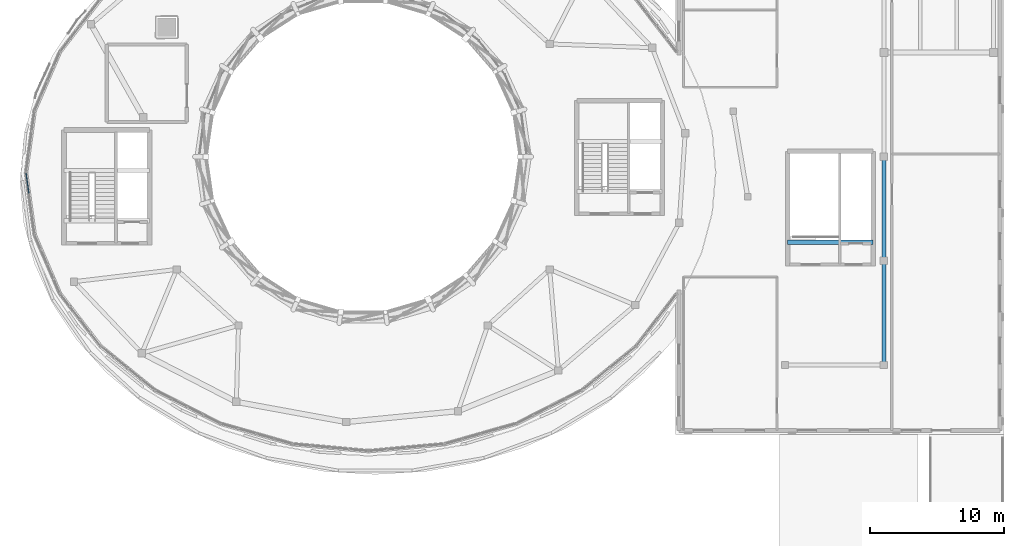
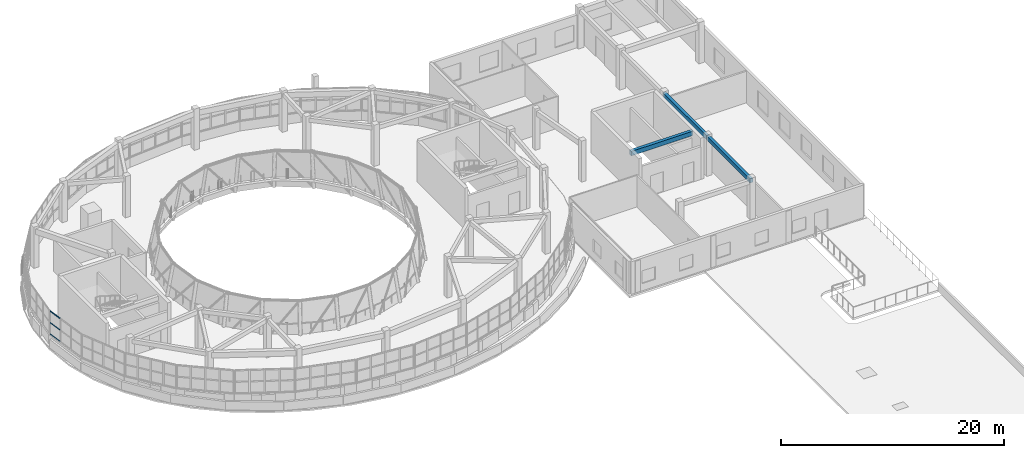
# One storey, part 14 of 46: 3 beams, 3 members, 1 element without a shape of its own.
"""IFC4 building model written with IfcOpenShell, lengths in metres."""

from ifc_helpers import new_model, si_unit, direction, frame, origin, origin_2d, place, context, subcontext, project, spatial, rectangle, hollow_rectangle, extrude, material, layer, layer_set, material_profile, profile_set, type_object, element, aggregate, save


model = new_model("IFC4")

# Units and contexts
model_context = context("Model", 3, precision=1e-05, world=origin(), true_north=direction((0.0, 1.0)))
body_context = subcontext(model_context, "Body", "Model", "MODEL_VIEW")
ifc_project = project(units=[si_unit("LENGTHUNIT", "METRE"), si_unit("AREAUNIT", "SQUARE_METRE"), si_unit("VOLUMEUNIT", "CUBIC_METRE"), si_unit("PLANEANGLEUNIT", "RADIAN"), si_unit("MASSUNIT", "GRAM", prefix="KILO")], contexts=[model_context])

# Site, building, storey
site_placement = place(None, origin())
site = spatial("IfcSite", under=ifc_project, at=site_placement, CompositionType="ELEMENT")
building_placement = place(site_placement, origin())
building = spatial("IfcBuilding", under=site, at=building_placement, Name="Pelvatis Terrace Science Centre", CompositionType="ELEMENT")
storey_placement = place(building_placement, frame((0.0, 0.0, 19.800048828125)))
storey = spatial("IfcBuildingStorey", under=building, at=storey_placement, Name="L04", CompositionType="ELEMENT", Elevation=19.800048828125)

# Beams
ifc_material_1 = material(Name="Concrete C35/45", Category="concrete")
ifc_material_profile_1 = material_profile(ifc_material_1, rectangle(XDim=0.300048828125, YDim=0.449951171875, at=origin_2d()), Name="RC-BM 300x450")
ifc_profile_set_1 = profile_set([ifc_material_profile_1], Name="Concrete C35/45")
beam_type_1 = type_object("IfcBeamType", Name="BM-RC-300x450", PredefinedType="BEAM", material=ifc_profile_set_1)
for number, where, z_axis, x_axis, name in (
    (1, (148.199951171875, 70.199951171875, 4.02490234375), (0.0, 1.0, 0.0), (-1.0, 0.0, 0.0), "Beam BM-L04-3109"),
    (2, (148.199951171875, 78.0, 4.02490234375), (0.0, 1.0, 0.0), (-1.0, 0.0, 0.0), "Beam BM-L04-3110"),
):
    element("IfcBeam", number, at=place(storey_placement, frame(where, z_axis=z_axis, x_axis=x_axis)), inside=storey, type_object=beam_type_1, Name=name, PredefinedType="BEAM", context=body_context, shape_type="SweptSolid", body=[
        extrude(rectangle(XDim=0.300048828125, YDim=0.449951171875, at=origin_2d()), origin(), (0.0, 0.0, 1.0), 7.800048828125),
    ])
ifc_material_2 = material(Name="Concrete C35/45", Category="concrete")
ifc_material_profile_2 = material_profile(ifc_material_2, rectangle(XDim=0.320068359375, YDim=0.47998046875, at=origin_2d()), Name="RC-BM 320x480")
ifc_profile_set_2 = profile_set([ifc_material_profile_2], Name="Concrete C35/45")
beam_type_2 = type_object("IfcBeamType", Name="BM-RC-320x480", PredefinedType="BEAM", material=ifc_profile_set_2)
beam_placement = place(storey_placement, frame((141.0, 79.39990234375, 4.0), z_axis=(1.0, 0.0, 0.0), x_axis=(0.0, 1.0, 0.0)))
element("IfcBeam", 3, at=beam_placement, inside=storey, type_object=beam_type_2, Name="Core C3 stair header beam (L04)", PredefinedType="BEAM", context=body_context, shape_type="SweptSolid", body=[
    extrude(rectangle(XDim=0.320068359375, YDim=0.47998046875, at=origin_2d()), origin(), (0.0, 0.0, 1.0), 6.39990234375),
])

# Curtain wall, members
ifc_material_3 = material(Name="Bronze-anodised aluminium and laminated glass", Category="aluminium")
ifc_layer = layer(ifc_material_3, 0.14990234375)
ifc_layer_set = layer_set([ifc_layer], Name="Bronze-anodised aluminium and laminated glass")
curtain_wall_type = type_object("IfcCurtainWallType", Name="CW-PASSAGE-C", PredefinedType="NOTDEFINED", material=ifc_layer_set)
curtain_wall_placement = place(storey_placement, origin())
curtain_wall = element("IfcCurtainWall", 4, at=curtain_wall_placement, inside=storey, type_object=curtain_wall_type, Name="Ribbon curtain wall CW-225 (L04)", PredefinedType="NOTDEFINED")
ifc_material_4 = material(Name="Bronze-anodised aluminium 6063-T6", Category="aluminium")
ifc_material_profile_3 = material_profile(ifc_material_4, hollow_rectangle(XDim=0.054931640625, YDim=0.1201171875, WallThickness=0.00341796875, at=origin_2d()), Name="ALU-TRN 55x120")
ifc_profile_set_3 = profile_set([ifc_material_profile_3], Name="Bronze-anodised aluminium 6063-T6")
member_type = type_object("IfcMemberType", Name="CWT-55x120", PredefinedType="USERDEFINED", material=ifc_profile_set_3)
member_1_placement = place(storey_placement, frame((83.95751953125, 84.54541015625, 1.04736328125), z_axis=(0.137374881493, -0.990519127496, 0.0), x_axis=(0.990519127496, 0.137374881493, 0.0)))
member_1 = element("IfcMember", 5, at=member_1_placement, type_object=member_type, Name="CW-225 transom 1.1", ObjectType="TRANSOM", PredefinedType="USERDEFINED", context=body_context, shape_type="SweptSolid", body=[
    extrude(hollow_rectangle(XDim=0.054931640625, YDim=0.1201171875, WallThickness=0.00341796875, at=origin_2d()), origin(), (0.0, 0.0, 1.0), 1.478515625),
])
member_2_placement = place(storey_placement, frame((83.95751953125, 84.54541015625, 2.294921875), z_axis=(0.137374881493, -0.990519127496, 0.0), x_axis=(0.990519127496, 0.137374881493, 0.0)))
member_2 = element("IfcMember", 6, at=member_2_placement, type_object=member_type, Name="CW-225 transom 1.2", ObjectType="TRANSOM", PredefinedType="USERDEFINED", context=body_context, shape_type="SweptSolid", body=[
    extrude(hollow_rectangle(XDim=0.054931640625, YDim=0.1201171875, WallThickness=0.00341796875, at=origin_2d()), origin(), (0.0, 0.0, 1.0), 1.478515625),
])
member_3_placement = place(storey_placement, frame((83.95751953125, 84.54541015625, 3.54248046875), z_axis=(0.137374881493, -0.990519127496, 0.0), x_axis=(0.990519127496, 0.137374881493, 0.0)))
member_3 = element("IfcMember", 7, at=member_3_placement, type_object=member_type, Name="CW-225 transom 1.3", ObjectType="TRANSOM", PredefinedType="USERDEFINED", context=body_context, shape_type="SweptSolid", body=[
    extrude(hollow_rectangle(XDim=0.054931640625, YDim=0.1201171875, WallThickness=0.00341796875, at=origin_2d()), origin(), (0.0, 0.0, 1.0), 1.478515625),
])
aggregate(curtain_wall, [member_1, member_2, member_3])

save(model, "model.ifc")
